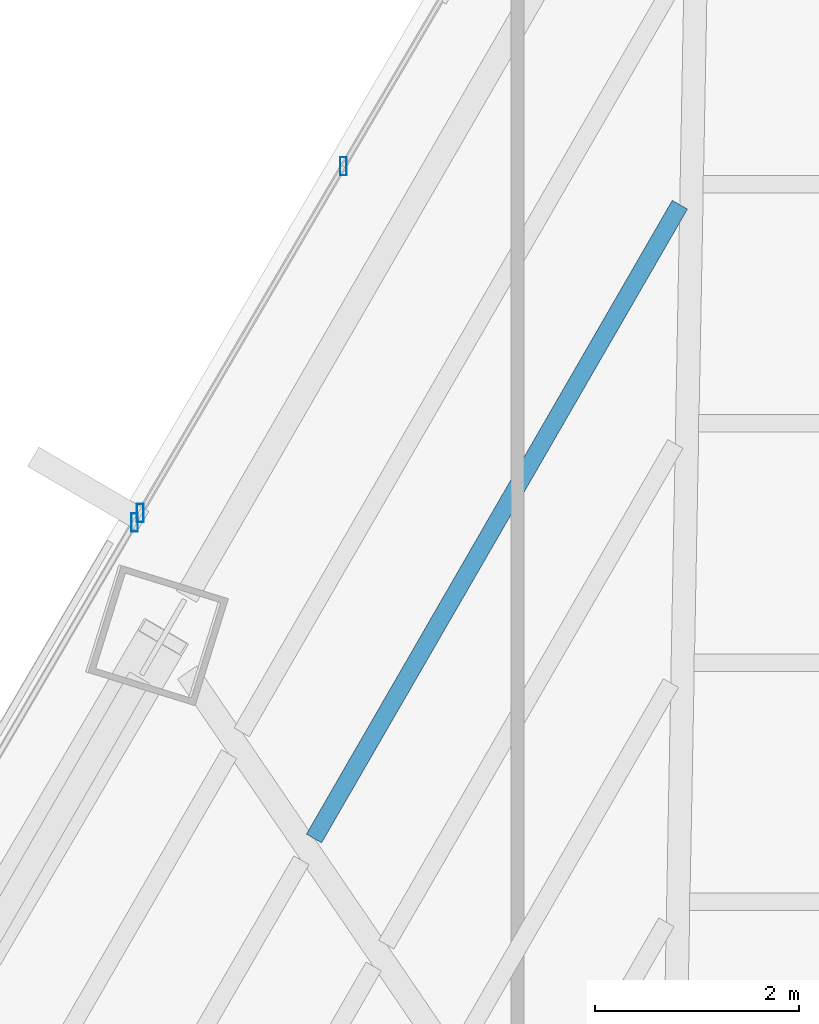
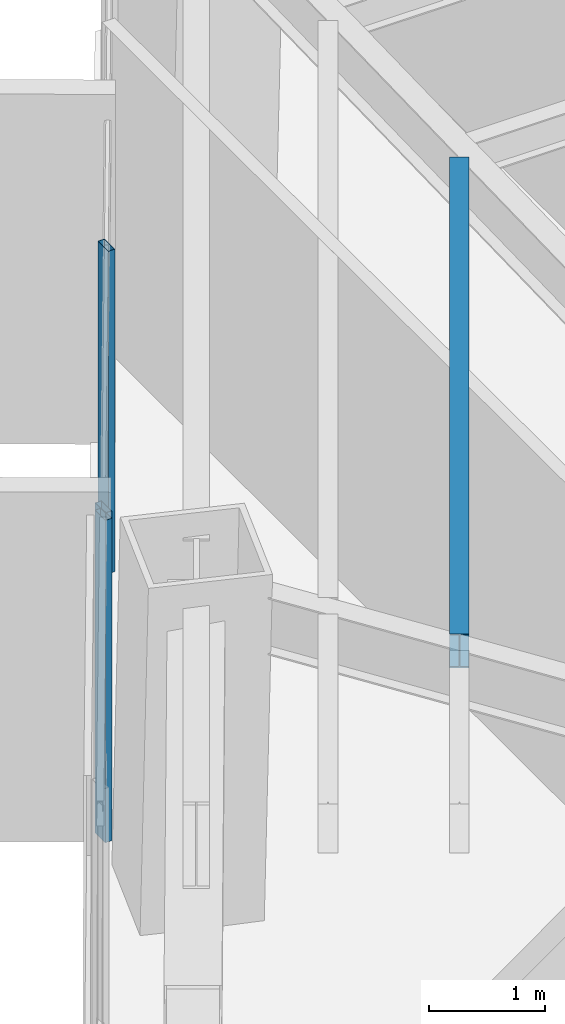
# One storey, part 24 of 36: 3 members, 1 beam, 2 elements without a shape of their own.
"""IFC4 building model written with IfcOpenShell, lengths in metres."""

from ifc_helpers import new_model, si_unit, direction, frame, origin, origin_2d, place, context, subcontext, project, spatial, hollow_rectangle, i_section, extrude, source, transform, mapped, material, material_profile, profile_set, type_object, type_shapes, element, aggregate, save


model = new_model("IFC4")

# Units and contexts
model_context = context("Model", 3, precision=1e-05, world=origin(), true_north=direction((0.0, 1.0)))
body_context = subcontext(model_context, "Body", "Model", "MODEL_VIEW")
ifc_project = project(units=[si_unit("LENGTHUNIT", "METRE"), si_unit("AREAUNIT", "SQUARE_METRE"), si_unit("VOLUMEUNIT", "CUBIC_METRE"), si_unit("PLANEANGLEUNIT", "RADIAN"), si_unit("MASSUNIT", "GRAM", prefix="KILO")], contexts=[model_context])

# Site, building, storey
site_placement = place(None, origin())
site = spatial("IfcSite", under=ifc_project, at=site_placement, CompositionType="ELEMENT")
building_placement = place(site_placement, origin())
building = spatial("IfcBuilding", under=site, at=building_placement, Name="Caelisora Broadcast Tower", CompositionType="ELEMENT")
storey_placement = place(building_placement, frame((0.0, 0.0, 112.699951171875)))
storey = spatial("IfcBuildingStorey", under=building, at=storey_placement, Name="L29", CompositionType="ELEMENT", Elevation=112.699951171875)

# Beam
ifc_material_1 = material(Name="Steel Grade 350 (AS/NZS 3679.1)", Category="steel")
ifc_material_profile_1 = material_profile(ifc_material_1, i_section(OverallWidth=0.172119140625, OverallDepth=0.358642578125, WebThickness=0.008056640625, FlangeThickness=0.012939453125, at=origin_2d()), Name="Steel Grade 350 (AS/NZS 3679.1)")
ifc_profile_set_1 = profile_set([ifc_material_profile_1], Name="Steel Grade 350 (AS/NZS 3679.1)")
beam_type = type_object("IfcBeamType", Name="SB02", PredefinedType="JOIST", material=ifc_profile_set_1)
shared_shape_1 = source(origin(), body_context, "Body", "SweptSolid", [
    extrude(i_section(OverallWidth=0.172119140625, OverallDepth=0.358642578125, WebThickness=0.008056640625, FlangeThickness=0.012939453125, at=origin_2d()), origin(), (0.0, 0.0, 1.0), 7.1806640625),
])
type_shapes(beam_type, [shared_shape_1])
beam_placement = place(storey_placement, frame((30.60400390625, 41.532958984375, 3.220703125), z_axis=(-0.499993215683, -0.866029320676, 0.0), x_axis=(0.866029320676, -0.499993215683, 0.0)))
element("IfcBeam", 1, at=beam_placement, inside=storey, type_object=beam_type, Name="L29 beam SB02", PredefinedType="JOIST", context=body_context, shape_type="MappedRepresentation", body=[
    mapped(shared_shape_1, transform((0.0, 0.0, 0.0), scale=1.0)),
])

# Curtain wall, member
ifc_material_2 = material(Name="Unitised Aluminium Insulated Shadow-Box Spandrel Curtain Wall", Category="aluminium")
curtain_wall_type_1 = type_object("IfcCurtainWallType", Name="CW-SP1", PredefinedType="NOTDEFINED", material=ifc_material_2)
curtain_wall_1_placement = place(storey_placement, origin())
curtain_wall_1 = element("IfcCurtainWall", 2, at=curtain_wall_1_placement, inside=storey, type_object=curtain_wall_type_1, Name="L29 curtain wall CW-SP1", PredefinedType="NOTDEFINED")
ifc_material_3 = material(Name="Aluminium 6063-T6 Anodised Terracotta Bronze", Category="aluminium")
ifc_material_profile_2 = material_profile(ifc_material_3, hollow_rectangle(XDim=0.06494140625, YDim=0.179931640625, WallThickness=0.00341796875, at=origin_2d()), Name="Aluminium 6063-T6 Anodised Terracotta Bronze")
ifc_profile_set_2 = profile_set([ifc_material_profile_2], Name="Aluminium 6063-T6 Anodised Terracotta Bronze")
member_type = type_object("IfcMemberType", Name="CWM-02", PredefinedType="MULLION", material=ifc_profile_set_2)
shared_shape_2 = source(origin(), body_context, "Body", "SweptSolid", [
    extrude(hollow_rectangle(XDim=0.06494140625, YDim=0.179931640625, WallThickness=0.00341796875, at=origin_2d()), origin(), (0.0, 0.0, 1.0), 3.400146484375),
])
type_shapes(member_type, [shared_shape_2])
member_1_placement = place(storey_placement, frame((25.2529296875, 38.413818359375, 0.0), z_axis=(0.0, 0.0, 1.0), x_axis=(1.0, 0.0, 0.0)))
member_1 = element("IfcMember", 3, at=member_1_placement, type_object=member_type, Name="L29-CW-B10 mullion #3", PredefinedType="MULLION", context=body_context, shape_type="MappedRepresentation", body=[
    mapped(shared_shape_2, transform((0.0, 0.0, 0.0), scale=1.0)),
])
aggregate(curtain_wall_1, [member_1])

# Curtain wall, members
ifc_material_4 = material(Name="Unitised Aluminium and Low-E Glass Curtain Wall", Category="glass")
curtain_wall_type_2 = type_object("IfcCurtainWallType", Name="CW-Z2", PredefinedType="NOTDEFINED", material=ifc_material_4)
curtain_wall_2_placement = place(storey_placement, origin())
curtain_wall_2 = element("IfcCurtainWall", 4, at=curtain_wall_2_placement, inside=storey, type_object=curtain_wall_type_2, Name="L29 curtain wall CW-Z2", PredefinedType="NOTDEFINED")
member_2_placement = place(storey_placement, frame((25.30859375, 38.5087890625, 0.0), z_axis=(0.0, 0.0, 1.0), x_axis=(1.0, 0.0, 0.0)))
member_2 = element("IfcMember", 5, at=member_2_placement, type_object=member_type, Name="L29-CW-B11 mullion #0", PredefinedType="MULLION", context=body_context, shape_type="MappedRepresentation", body=[
    mapped(shared_shape_2, transform((0.0, 0.0, 0.0), scale=1.0)),
])
member_3_placement = place(storey_placement, frame((27.301513671875, 41.909912109375, 0.0), z_axis=(0.0, 0.0, 1.0), x_axis=(1.0, 0.0, 0.0)))
member_3 = element("IfcMember", 6, at=member_3_placement, type_object=member_type, Name="L29-CW-B11 mullion #1", PredefinedType="MULLION", context=body_context, shape_type="MappedRepresentation", body=[
    mapped(shared_shape_2, transform((0.0, 0.0, 0.0), scale=1.0)),
])
aggregate(curtain_wall_2, [member_2, member_3])

save(model, "model.ifc")
